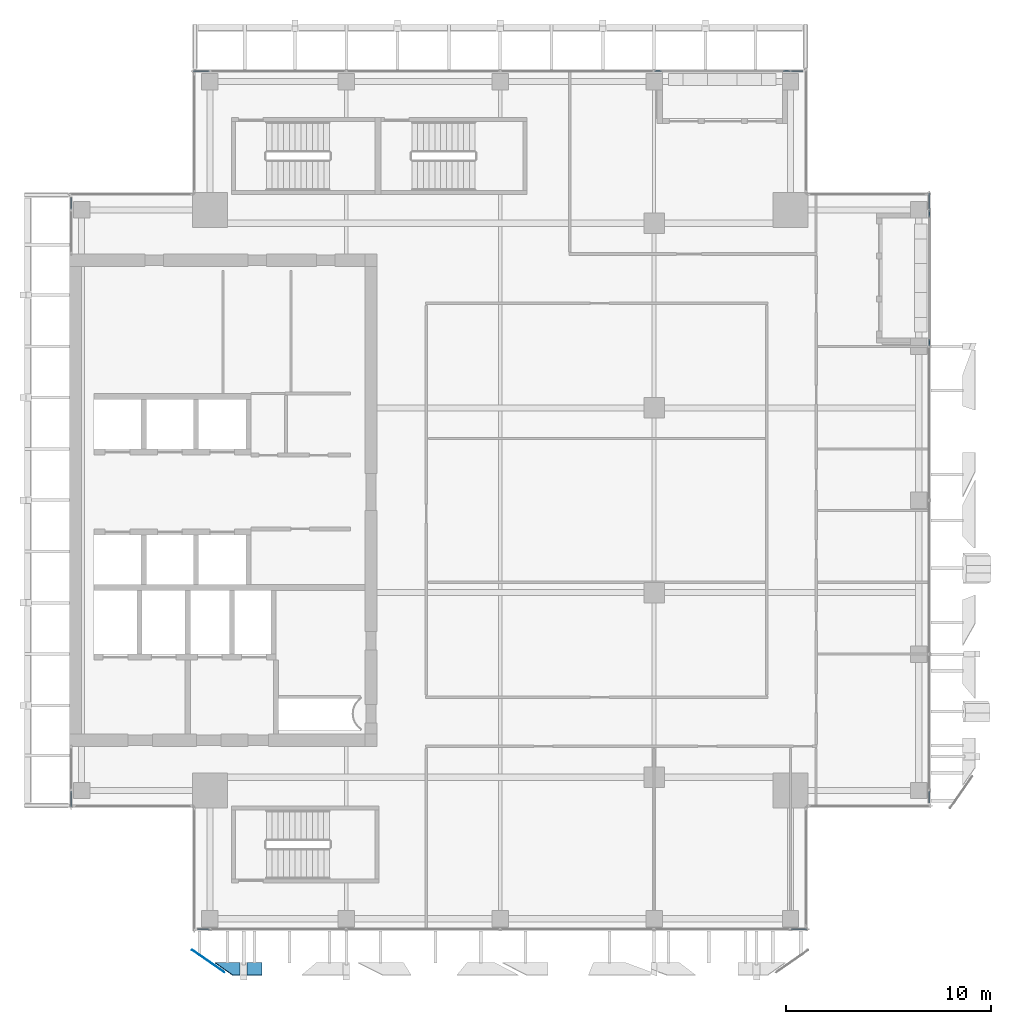
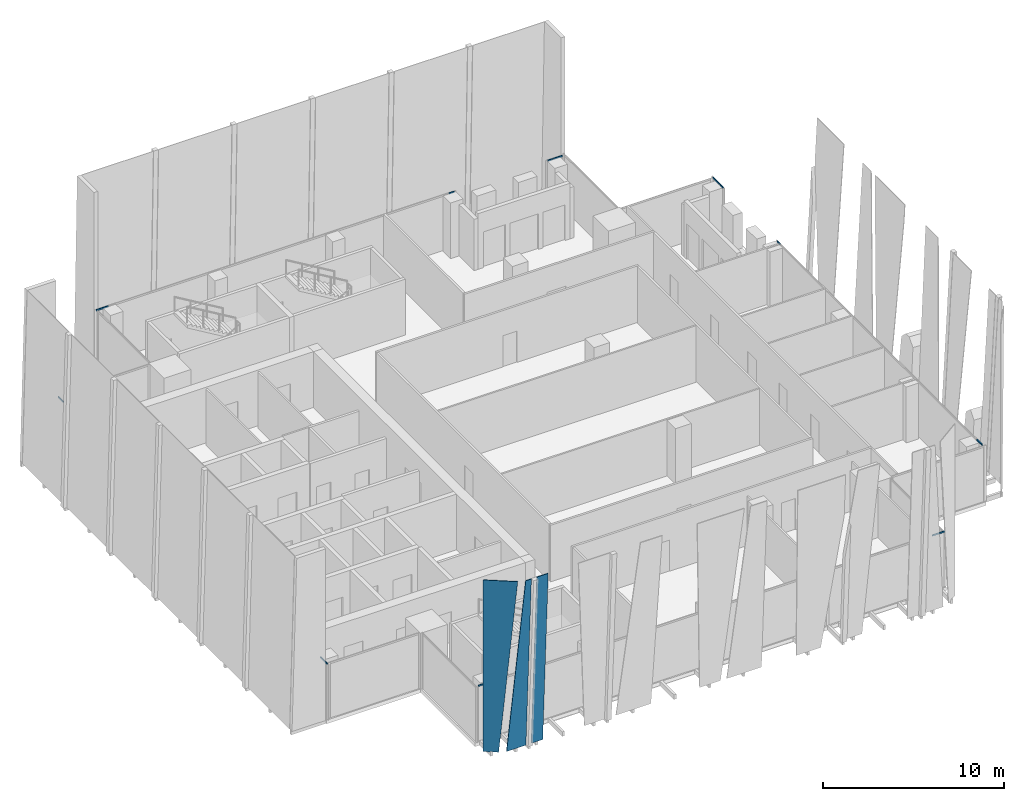
# One storey, part 20 of 33: 12 members, 3 plates, 7 elements without a shape of their own.
"""IFC4 building model written with IfcOpenShell, lengths in metres."""

from ifc_helpers import new_model, si_unit, direction, frame, origin, origin_2d, place, context, subcontext, project, spatial, polyline, hollow_rectangle, outline, extrude, source, transform, mapped, material, layer, layer_set, material_profile, profile_set, type_object, element, aggregate, save


model = new_model("IFC4")

# Units and contexts
model_context = context("Model", 3, precision=1e-05, world=origin(), true_north=direction((0.0, 1.0)))
body_context = subcontext(model_context, "Body", "Model", "MODEL_VIEW")
ifc_project = project(units=[si_unit("LENGTHUNIT", "METRE"), si_unit("AREAUNIT", "SQUARE_METRE"), si_unit("VOLUMEUNIT", "CUBIC_METRE"), si_unit("PLANEANGLEUNIT", "RADIAN"), si_unit("MASSUNIT", "GRAM", prefix="KILO")], contexts=[model_context])

# Site, building, storey
site_placement = place(None, origin())
site = spatial("IfcSite", under=ifc_project, at=site_placement, CompositionType="ELEMENT")
building_placement = place(site_placement, origin())
building = spatial("IfcBuilding", under=site, at=building_placement, Name="Khomas Fold Tower", CompositionType="ELEMENT")
storey_placement = place(building_placement, frame((0.0, 0.0, 294.199951171875)))
storey = spatial("IfcBuildingStorey", under=building, at=storey_placement, Name="L66", CompositionType="ELEMENT", Elevation=294.199951171875)

# Curtain wall, member
ifc_material_1 = material(Name="Aluminium framed double glazing", Category="aluminium")
curtain_wall_type = type_object("IfcCurtainWallType", Name="SK-Unitised clear-glass wall, upper floors CW3", PredefinedType="NOTDEFINED", material=ifc_material_1)
curtain_wall_1_placement = place(storey_placement, origin())
curtain_wall_1 = element("IfcCurtainWall", 1, at=curtain_wall_1_placement, inside=storey, type_object=curtain_wall_type, Name="CW3 run L66 00-0", PredefinedType="NOTDEFINED")
ifc_material_2 = material(Name="Aluminium", Category="aluminium")
ifc_material_profile = material_profile(ifc_material_2, hollow_rectangle(XDim=0.050048828125, YDim=0.10009765625, WallThickness=0.00390625, at=origin_2d()), Name="SK-Unitised clear-glass wall, upper floors transom CW3-T")
ifc_profile_set = profile_set([ifc_material_profile], Name="Aluminium")
member_type = type_object("IfcMemberType", Name="SK-Unitised clear-glass wall, upper floors transom CW3-T", PredefinedType="USERDEFINED", material=ifc_profile_set)
shared_shape_1 = source(origin(), body_context, "Body", "SweptSolid", [
    extrude(hollow_rectangle(XDim=0.050048828125, YDim=0.10009765625, WallThickness=0.00390625, at=origin_2d()), origin(), (0.0, 0.0, 1.0), 0.574951171875),
])
member_1_placement = place(storey_placement, frame((12.25, 6.10009765625, 3.699951171875), z_axis=(1.0, 0.0, 0.0), x_axis=(0.0, 1.0, 0.0)))
member_1 = element("IfcMember", 2, at=member_1_placement, type_object=member_type, Name="CW3 transom 1", ObjectType="TRANSOM", PredefinedType="USERDEFINED", context=body_context, shape_type="MappedRepresentation", body=[
    mapped(shared_shape_1, transform((0.0, 0.0, 0.0))),
])

curtain_wall_2_placement = place(storey_placement, origin())
curtain_wall_2 = element("IfcCurtainWall", 3, at=curtain_wall_2_placement, inside=storey, type_object=curtain_wall_type, Name="CW3 run L66 03-0", PredefinedType="NOTDEFINED")
member_2_placement = place(storey_placement, frame((47.89990234375, 12.25, 3.699951171875), z_axis=(0.0, 1.0, 0.0), x_axis=(-1.0, 0.0, 0.0)))
member_2 = element("IfcMember", 4, at=member_2_placement, type_object=member_type, Name="CW3 transom 1", ObjectType="TRANSOM", PredefinedType="USERDEFINED", context=body_context, shape_type="MappedRepresentation", body=[
    mapped(shared_shape_1, transform((0.0, 0.0, 0.0))),
])

curtain_wall_3_placement = place(storey_placement, origin())
curtain_wall_3 = element("IfcCurtainWall", 5, at=curtain_wall_3_placement, inside=storey, type_object=curtain_wall_type, Name="CW3 run L66 06-0", PredefinedType="NOTDEFINED")
member_3_placement = place(storey_placement, frame((41.75, 47.89990234375, 3.699951171875), z_axis=(-1.0, 0.0, 0.0), x_axis=(0.0, -1.0, 0.0)))
member_3 = element("IfcMember", 6, at=member_3_placement, type_object=member_type, Name="CW3 transom 1", ObjectType="TRANSOM", PredefinedType="USERDEFINED", context=body_context, shape_type="MappedRepresentation", body=[
    mapped(shared_shape_1, transform((0.0, 0.0, 0.0))),
])

curtain_wall_4_placement = place(storey_placement, origin())
curtain_wall_4 = element("IfcCurtainWall", 7, at=curtain_wall_4_placement, inside=storey, type_object=curtain_wall_type, Name="CW3 run L66 09-0", PredefinedType="NOTDEFINED")
member_4_placement = place(storey_placement, frame((6.10009765625, 41.75, 3.699951171875), z_axis=(0.0, -1.0, 0.0), x_axis=(1.0, 0.0, 0.0)))
member_4 = element("IfcMember", 8, at=member_4_placement, type_object=member_type, Name="CW3 transom 1", ObjectType="TRANSOM", PredefinedType="USERDEFINED", context=body_context, shape_type="MappedRepresentation", body=[
    mapped(shared_shape_1, transform((0.0, 0.0, 0.0))),
])
aggregate(curtain_wall_4, [member_4])

# Member
shared_shape_2 = source(origin(), body_context, "Body", "SweptSolid", [
    extrude(hollow_rectangle(XDim=0.050048828125, YDim=0.10009765625, WallThickness=0.00390625, at=origin_2d()), origin(), (0.0, 0.0, 1.0), 0.77490234375),
])
member_5_placement = place(storey_placement, frame((41.175048828125, 6.10009765625, 3.699951171875), z_axis=(1.0, 0.0, 0.0), x_axis=(0.0, 1.0, 0.0)))
member_5 = element("IfcMember", 9, at=member_5_placement, type_object=member_type, Name="CW3 transom 6", ObjectType="TRANSOM", PredefinedType="USERDEFINED", context=body_context, shape_type="MappedRepresentation", body=[
    mapped(shared_shape_2, transform((0.0, 0.0, 0.0))),
])

aggregate(curtain_wall_1, [member_1, member_5])

# Curtain wall, member
curtain_wall_5_placement = place(storey_placement, origin())
curtain_wall_5 = element("IfcCurtainWall", 10, at=curtain_wall_5_placement, inside=storey, type_object=curtain_wall_type, Name="CW3 run L66 03-1", PredefinedType="NOTDEFINED")
member_6_placement = place(storey_placement, frame((47.89990234375, 41.175048828125, 3.699951171875), z_axis=(0.0, 1.0, 0.0), x_axis=(-1.0, 0.0, 0.0)))
member_6 = element("IfcMember", 11, at=member_6_placement, type_object=member_type, Name="CW3 transom 2", ObjectType="TRANSOM", PredefinedType="USERDEFINED", context=body_context, shape_type="MappedRepresentation", body=[
    mapped(shared_shape_2, transform((0.0, 0.0, 0.0))),
])

curtain_wall_6_placement = place(storey_placement, origin())
curtain_wall_6 = element("IfcCurtainWall", 12, at=curtain_wall_6_placement, inside=storey, type_object=curtain_wall_type, Name="CW3 run L66 06-1", PredefinedType="NOTDEFINED")
member_7_placement = place(storey_placement, frame((12.824951171875, 47.89990234375, 3.699951171875), z_axis=(-1.0, 0.0, 0.0), x_axis=(0.0, -1.0, 0.0)))
member_7 = element("IfcMember", 13, at=member_7_placement, type_object=member_type, Name="CW3 transom 5", ObjectType="TRANSOM", PredefinedType="USERDEFINED", context=body_context, shape_type="MappedRepresentation", body=[
    mapped(shared_shape_2, transform((0.0, 0.0, 0.0))),
])

curtain_wall_7_placement = place(storey_placement, origin())
curtain_wall_7 = element("IfcCurtainWall", 14, at=curtain_wall_7_placement, inside=storey, type_object=curtain_wall_type, Name="CW3 run L66 09-1", PredefinedType="NOTDEFINED")
member_8_placement = place(storey_placement, frame((6.10009765625, 12.824951171875, 3.699951171875), z_axis=(0.0, -1.0, 0.0), x_axis=(1.0, 0.0, 0.0)))
member_8 = element("IfcMember", 15, at=member_8_placement, type_object=member_type, Name="CW3 transom 2", ObjectType="TRANSOM", PredefinedType="USERDEFINED", context=body_context, shape_type="MappedRepresentation", body=[
    mapped(shared_shape_2, transform((0.0, 0.0, 0.0))),
])
aggregate(curtain_wall_7, [member_8])

# Member
shared_shape_3 = source(origin(), body_context, "Body", "SweptSolid", [
    extrude(hollow_rectangle(XDim=0.050048828125, YDim=0.10009765625, WallThickness=0.00390625, at=origin_2d()), origin(), (0.0, 0.0, 1.0), 0.3251953125),
])
member_9_placement = place(storey_placement, frame((47.89990234375, 34.52490234375, 3.699951171875), z_axis=(0.0, 1.0, 0.0), x_axis=(-1.0, 0.0, 0.0)))
member_9 = element("IfcMember", 16, at=member_9_placement, type_object=member_type, Name="CW3 transom 5", ObjectType="TRANSOM", PredefinedType="USERDEFINED", context=body_context, shape_type="MappedRepresentation", body=[
    mapped(shared_shape_3, transform((0.0, 0.0, 0.0))),
])

aggregate(curtain_wall_2, [member_2, member_9])

member_10_placement = place(storey_placement, frame((34.85009765625, 47.89990234375, 3.699951171875), z_axis=(-1.0, 0.0, 0.0), x_axis=(0.0, -1.0, 0.0)))
member_10 = element("IfcMember", 17, at=member_10_placement, type_object=member_type, Name="CW3 transom 1", ObjectType="TRANSOM", PredefinedType="USERDEFINED", context=body_context, shape_type="MappedRepresentation", body=[
    mapped(shared_shape_3, transform((0.0, 0.0, 0.0))),
])

aggregate(curtain_wall_6, [member_10, member_7])

shared_shape_4 = source(origin(), body_context, "Body", "SweptSolid", [
    extrude(hollow_rectangle(XDim=0.050048828125, YDim=0.10009765625, WallThickness=0.00390625, at=origin_2d()), origin(), (0.0, 0.0, 1.0), 0.324951171875),
])
member_11_placement = place(storey_placement, frame((47.89990234375, 40.800048828125, 3.699951171875), z_axis=(0.0, 1.0, 0.0), x_axis=(-1.0, 0.0, 0.0)))
member_11 = element("IfcMember", 18, at=member_11_placement, type_object=member_type, Name="CW3 transom 1", ObjectType="TRANSOM", PredefinedType="USERDEFINED", context=body_context, shape_type="MappedRepresentation", body=[
    mapped(shared_shape_4, transform((0.0, 0.0, 0.0))),
])

aggregate(curtain_wall_5, [member_11, member_6])

member_12_placement = place(storey_placement, frame((41.125, 47.89990234375, 3.699951171875), z_axis=(-1.0, 0.0, 0.0), x_axis=(0.0, -1.0, 0.0)))
member_12 = element("IfcMember", 19, at=member_12_placement, type_object=member_type, Name="CW3 transom 2", ObjectType="TRANSOM", PredefinedType="USERDEFINED", context=body_context, shape_type="MappedRepresentation", body=[
    mapped(shared_shape_4, transform((0.0, 0.0, 0.0))),
])

aggregate(curtain_wall_3, [member_3, member_12])

# Plates
ifc_material_3 = material(Name="Clear laminated glass", Category="glass")
ifc_layer = layer(ifc_material_3, 0.0400390625)
ifc_layer_set = layer_set([ifc_layer], Name="Clear laminated glass")
plate_type = type_object("IfcPlateType", Name="SK-Clear laminated glass leaf", PredefinedType="SHEET", material=ifc_layer_set)
plate_1_placement = place(storey_placement, frame((13.1005859375, 4.47119140625, 0.0), z_axis=(0.0, 0.99862882819, 0.052349436554), x_axis=(0.074684307669, -0.052203236477, 0.995839884866)))
element("IfcPlate", 20, at=plate_1_placement, inside=storey, type_object=plate_type, Name="OUTER SKIN glass L66 SG098-1", PredefinedType="SHEET", context=body_context, shape_type="SweptSolid", body=[
    extrude(outline(polyline([(0.0, 0.0), (11.598299087691387, -1.1102230246251565e-16), (11.625430496336698, 0.3622666880441585), (0.0918237728076459, 1.226058495289236), (0.0, 0.0)])), origin(), (0.0, 0.0, -1.0), 0.0400390625),
])
plate_2_placement = place(storey_placement, frame((15.39990234375, 4.47119140625, 0.0), z_axis=(0.0, 0.99862882819, 0.052349436554), x_axis=(-1.0, 0.0, 0.0)))
element("IfcPlate", 21, at=plate_2_placement, inside=storey, type_object=plate_type, Name="OUTER SKIN glass L66 SG099-3", PredefinedType="SHEET", context=body_context, shape_type="SweptSolid", body=[
    extrude(outline(polyline([(0.0, 0.0), (0.72998046875, 0.0), (0.72998046875, 11.565907674683308), (0.0, 11.565907674683308), (0.0, 0.0)])), origin(), (0.0, 0.0, -1.0), 0.0400390625),
])
plate_3_placement = place(storey_placement, frame((12.699462890625, 4.611328125, 0.0), z_axis=(0.572833675815, 0.819671629274, 3.92905e-06), x_axis=(-0.81967162928, 0.57283367582, 2.09e-10)))
element("IfcPlate", 22, at=plate_3_placement, inside=storey, type_object=plate_type, Name="OUTER SKIN glass L66 SG098-4", PredefinedType="SHEET", context=body_context, shape_type="SweptSolid", body=[
    extrude(outline(polyline([(0.0, 0.0), (0.8533135343942555, 0.0), (0.8533135368076816, 11.550048828035848), (-1.0568414176840049, 11.550048828613285), (0.0, 0.0)])), origin(), (0.0, 0.0, -1.0), 0.0400390625),
])

save(model, "model.ifc")
